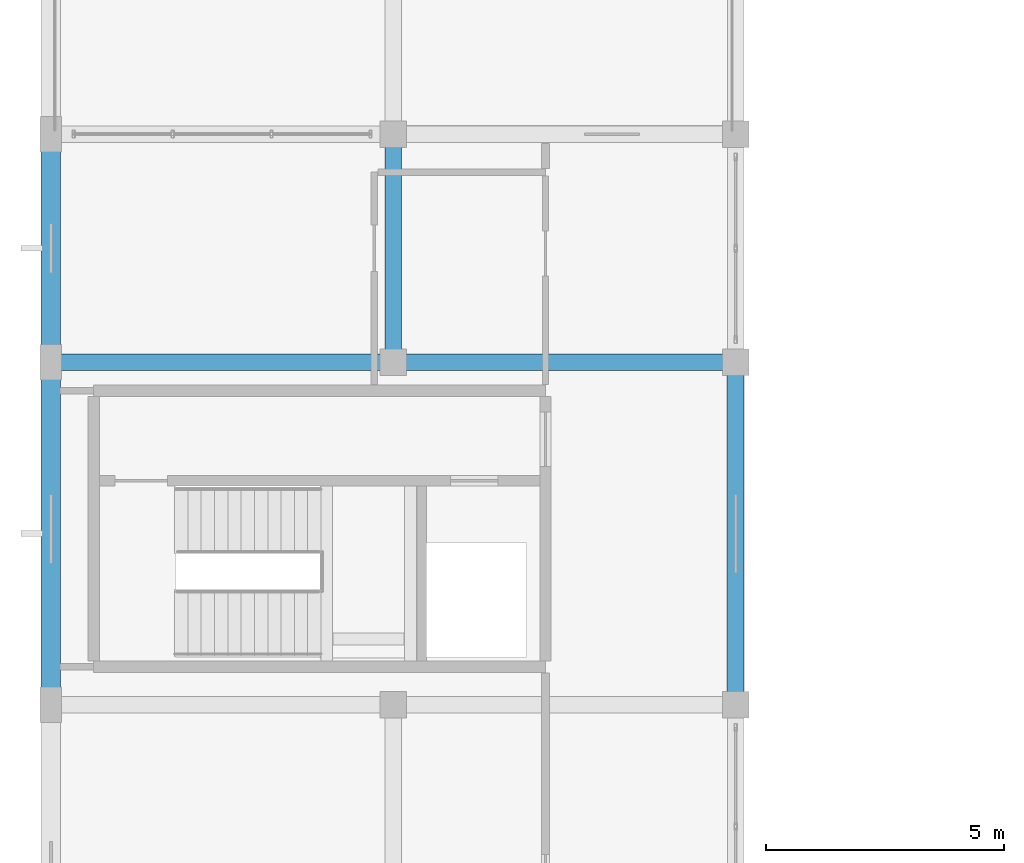
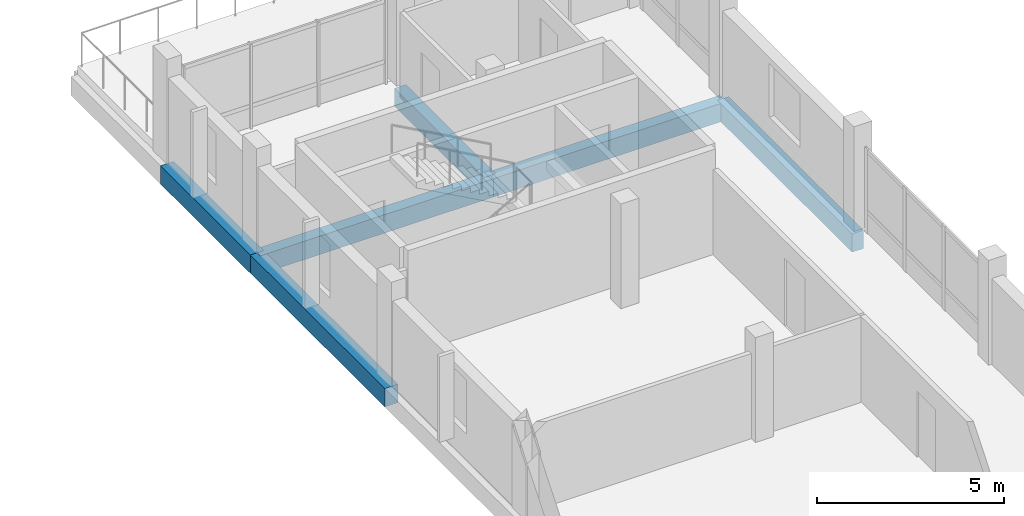
# One storey, part 14 of 66: 6 beams.
"""IFC4 building model written with IfcOpenShell, lengths in metres."""

from ifc_helpers import new_model, si_unit, direction, frame, origin, origin_2d, place, context, subcontext, project, spatial, rectangle, extrude, material, material_profile, profile_set, type_object, element, save


model = new_model("IFC4")

# Units and contexts
model_context = context("Model", 3, precision=1e-05, world=origin(), true_north=direction((0.0, 1.0)))
body_context = subcontext(model_context, "Body", "Model", "MODEL_VIEW")
ifc_project = project(units=[si_unit("LENGTHUNIT", "METRE"), si_unit("AREAUNIT", "SQUARE_METRE"), si_unit("VOLUMEUNIT", "CUBIC_METRE"), si_unit("PLANEANGLEUNIT", "RADIAN"), si_unit("MASSUNIT", "GRAM", prefix="KILO")], contexts=[model_context])

# Site, building, storey
site_placement = place(None, origin())
site = spatial("IfcSite", under=ifc_project, at=site_placement, CompositionType="ELEMENT")
building_placement = place(site_placement, origin())
building = spatial("IfcBuilding", under=site, at=building_placement, Name="Zornivar Specialist Clinic", CompositionType="ELEMENT")
storey_placement = place(building_placement, frame((0.0, 0.0, 16.0)))
storey = spatial("IfcBuildingStorey", under=building, at=storey_placement, Name="L04", CompositionType="ELEMENT", Elevation=16.0)

# Beams
ifc_material_1 = material(Name="Concrete C30/37", Category="concrete")
ifc_material_profile_1 = material_profile(ifc_material_1, rectangle(XDim=0.35009765625, YDim=0.60009765625, at=origin_2d()), Name="RC 350x600")
ifc_profile_set_1 = profile_set([ifc_material_profile_1], Name="Concrete C30/37")
beam_type_1 = type_object("IfcBeamType", Name="BM-RC-350x600", PredefinedType="BEAM", material=ifc_profile_set_1)
for number, where, z_axis, x_axis, name in (
    (1, (0.0, 43.199951171875, -0.580078125), (1.0, 0.0, 0.0), (0.0, 1.0, 0.0), "bm:V2:L04:x:432:0"),
    (2, (7.199951171875, 43.199951171875, -0.580078125), (1.0, 0.0, 0.0), (0.0, 1.0, 0.0), "bm:V2:L04:x:432:1"),
):
    element("IfcBeam", number, at=place(storey_placement, frame(where, z_axis=z_axis, x_axis=x_axis)), inside=storey, type_object=beam_type_1, Name=name, PredefinedType="BEAM", context=body_context, shape_type="SweptSolid", body=[
        extrude(rectangle(XDim=0.35009765625, YDim=0.60009765625, at=origin_2d()), origin(), (0.0, 0.0, 1.0), 7.199951171875),
    ])
beam_1_placement = place(storey_placement, frame((7.199951171875, 43.199951171875, -0.580078125), z_axis=(0.0, 1.0, 0.0), x_axis=(-1.0, 0.0, 0.0)))
element("IfcBeam", 3, at=beam_1_placement, inside=storey, type_object=beam_type_1, Name="bm:V2:L04:y:72:6", PredefinedType="BEAM", context=body_context, shape_type="SweptSolid", body=[
    extrude(rectangle(XDim=0.35009765625, YDim=0.60009765625, at=origin_2d()), origin(), (0.0, 0.0, 1.0), 4.800048828125),
])
beam_2_placement = place(storey_placement, frame((14.39990234375, 36.0, -0.580078125), z_axis=(0.0, 1.0, 0.0), x_axis=(-1.0, 0.0, 0.0)))
element("IfcBeam", 4, at=beam_2_placement, inside=storey, type_object=beam_type_1, Name="bm:V2:L04:y:144:5", PredefinedType="BEAM", context=body_context, shape_type="SweptSolid", body=[
    extrude(rectangle(XDim=0.35009765625, YDim=0.60009765625, at=origin_2d()), origin(), (0.0, 0.0, 1.0), 7.199951171875),
])
ifc_material_2 = material(Name="Concrete C30/37", Category="concrete")
ifc_material_profile_2 = material_profile(ifc_material_2, rectangle(XDim=0.409912109375, YDim=0.60009765625, at=origin_2d()), Name="RC 410x600")
ifc_profile_set_2 = profile_set([ifc_material_profile_2], Name="Concrete C30/37")
beam_type_2 = type_object("IfcBeamType", Name="BM-RC-SPANDREL-410x600", PredefinedType="SPANDREL", material=ifc_profile_set_2)
beam_3_placement = place(storey_placement, frame((0.0, 36.0, -0.580078125), z_axis=(0.0, 1.0, 0.0), x_axis=(-1.0, 0.0, 0.0)))
element("IfcBeam", 5, at=beam_3_placement, inside=storey, type_object=beam_type_2, Name="bm:V2:L04:y:0:5", PredefinedType="SPANDREL", context=body_context, shape_type="SweptSolid", body=[
    extrude(rectangle(XDim=0.409912109375, YDim=0.60009765625, at=origin_2d()), origin(), (0.0, 0.0, 1.0), 7.199951171875),
])
beam_4_placement = place(storey_placement, frame((0.0, 43.199951171875, -0.580078125), z_axis=(0.0, 1.0, 0.0), x_axis=(-1.0, 0.0, 0.0)))
element("IfcBeam", 6, at=beam_4_placement, inside=storey, type_object=beam_type_2, Name="bm:V2:L04:y:0:6", PredefinedType="SPANDREL", context=body_context, shape_type="SweptSolid", body=[
    extrude(rectangle(XDim=0.409912109375, YDim=0.60009765625, at=origin_2d()), origin(), (0.0, 0.0, 1.0), 4.800048828125),
])

save(model, "model.ifc")
